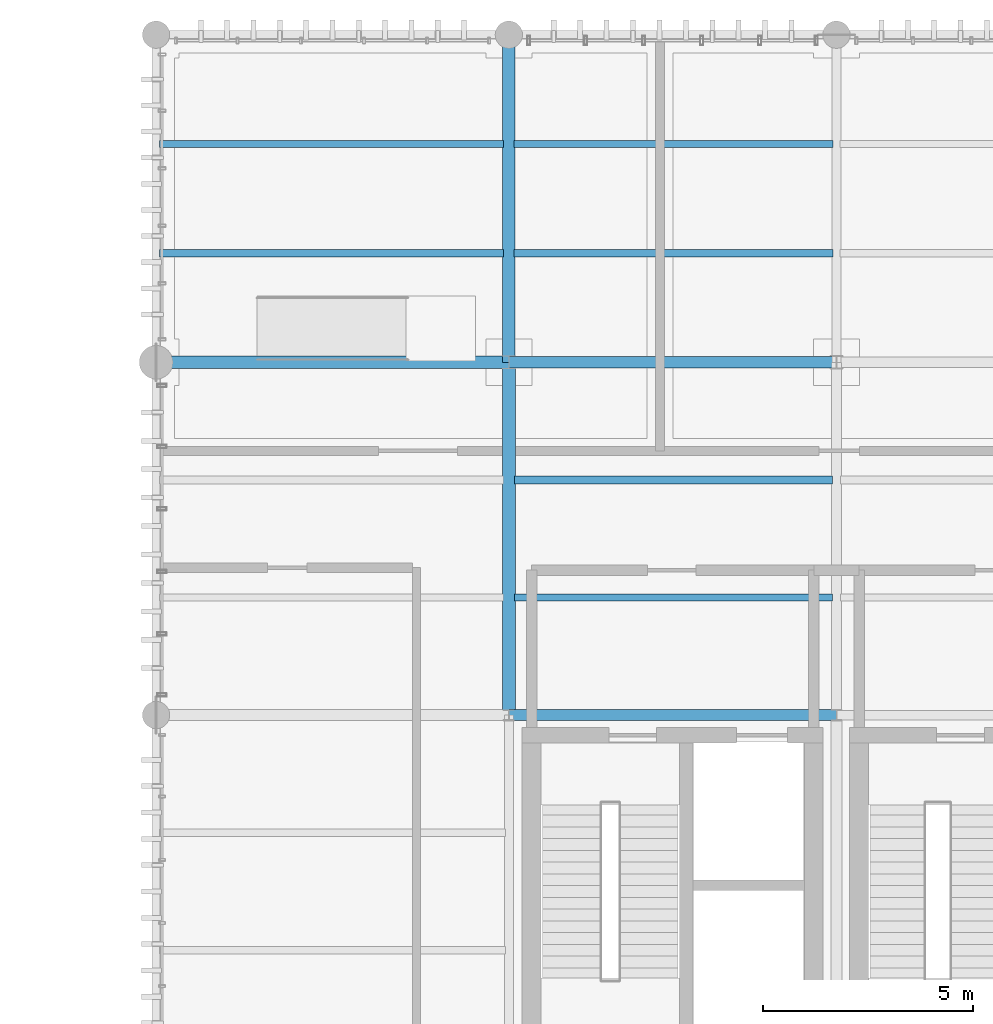
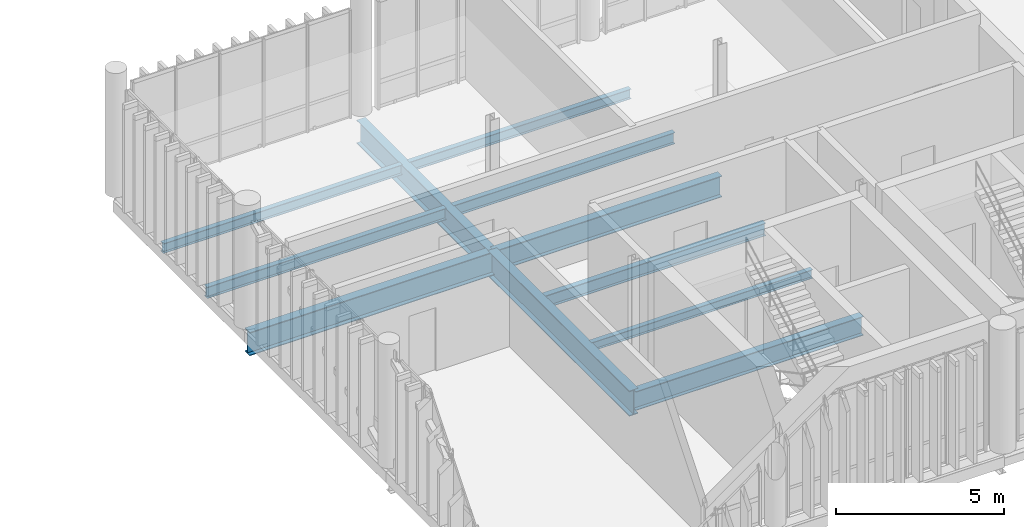
# One storey, part 6 of 19: 11 beams.
"""IFC4 building model written with IfcOpenShell, lengths in metres."""

import ifcopenshell
import ifcopenshell.guid

model = None  # the IFC model being written
_history = None  # IfcOwnerHistory: only IFC2X3 demands one
_inside = {}  # id of a spatial element -> (the spatial element, [elements in it])
_under = {}  # id of a project, library or spatial element -> (it, [spatial elements below it])
_declared = {}  # id of a project -> (the project, [libraries it declares])
_typed = {}  # id of a type object -> (the type object, [elements of that type])
_made_of = {}  # id of a material, layer set ... -> (it, [elements and type objects made of it])


def new_model(schema):
    """Start an empty IFC model of exactly this schema.

    Asked for "IFC4X3", IfcOpenShell would pick the latest addendum, in which some entities
    have other attributes; the version numbers below select the first issue.
    IFC2X3 requires an IfcOwnerHistory on every rooted entity: one is made here for all.
    """
    global model, _history
    if schema == "IFC4X3":
        model = ifcopenshell.file(schema_version=(4, 3, 0, 0))
    else:
        model = ifcopenshell.file(schema=schema)
    _inside.clear()
    _under.clear()
    _declared.clear()
    _typed.clear()
    _made_of.clear()
    _history = None
    if model.schema == "IFC2X3":
        org = make("IfcOrganization", Name="unknown")
        user = make(
            "IfcPersonAndOrganization",
            ThePerson=make("IfcPerson", FamilyName="unknown"),
            TheOrganization=org,
        )
        app = make(
            "IfcApplication",
            ApplicationDeveloper=org,
            Version="unknown",
            ApplicationFullName="unknown",
            ApplicationIdentifier="unknown",
        )
        _history = make(
            "IfcOwnerHistory",
            OwningUser=user,
            OwningApplication=app,
            ChangeAction="ADDED",
            CreationDate=0,
        )
    return model


def make(cls, **values):
    """One entity of the class cls with the attributes given. An attribute that is None is left unset."""
    return model.create_entity(
        cls, **{name: value for name, value in values.items() if value is not None}
    )


def rooted(cls, **values):
    """An entity with a GlobalId (a new one), such as an element, a storey or a relation."""
    return make(cls, GlobalId=ifcopenshell.guid.new(), OwnerHistory=_history, **values)


def si_unit(unit_type, name, prefix=None):
    """IfcSIUnit, for example si_unit("LENGTHUNIT", "METRE", prefix="MILLI")."""
    return make("IfcSIUnit", UnitType=unit_type, Prefix=prefix, Name=name)


def assignment(units):
    """IfcUnitAssignment: the units of a project."""
    return None if units is None else make("IfcUnitAssignment", Units=units)


def point(xyz):
    """IfcCartesianPoint."""
    return None if xyz is None else make("IfcCartesianPoint", Coordinates=xyz)


def direction(xyz):
    """IfcDirection."""
    return None if xyz is None else make("IfcDirection", DirectionRatios=xyz)


def frame(location, z_axis=None, x_axis=None):
    """IfcAxis2Placement3D, a coordinate frame: its origin and axes. An axis left out is left unset."""
    return make(
        "IfcAxis2Placement3D",
        Location=point(location),
        Axis=direction(z_axis),
        RefDirection=direction(x_axis),
    )


def frame_2d(location, x_axis=None):
    """IfcAxis2Placement2D, a coordinate frame in the plane: its origin and x axis."""
    return make(
        "IfcAxis2Placement2D", Location=point(location), RefDirection=direction(x_axis)
    )


def origin_with_axes():
    """The frame at (0, 0, 0) with the z axis (0, 0, 1) and the x axis (1, 0, 0) written out."""
    return frame((0.0, 0.0, 0.0), z_axis=(0.0, 0.0, 1.0), x_axis=(1.0, 0.0, 0.0))


def origin_2d_with_axis():
    """The frame at (0, 0) in the plane with the x axis (1, 0) written out."""
    return frame_2d((0.0, 0.0), x_axis=(1.0, 0.0))


def place(relative_to, where):
    """IfcLocalPlacement: puts the frame where relative to a parent placement (None: the world)."""
    return make(
        "IfcLocalPlacement", PlacementRelTo=relative_to, RelativePlacement=where
    )


def context(
    kind, dimensions, precision=None, world=None, true_north=None, identifier=None
):
    """IfcGeometricRepresentationContext, for example the 3D "Model" context."""
    return make(
        "IfcGeometricRepresentationContext",
        ContextIdentifier=identifier,
        ContextType=kind,
        CoordinateSpaceDimension=dimensions,
        Precision=precision,
        WorldCoordinateSystem=world,
        TrueNorth=true_north,
    )


def subcontext(parent, identifier, kind, view, scale=None):
    """IfcGeometricRepresentationSubContext, for example "Body" below "Model"."""
    return make(
        "IfcGeometricRepresentationSubContext",
        ContextIdentifier=identifier,
        ContextType=kind,
        ParentContext=parent,
        TargetScale=scale,
        TargetView=view,
    )


def project(units=None, contexts=None):
    """IfcProject with its units and contexts."""
    return rooted(
        "IfcProject",
        Name="project",
        RepresentationContexts=contexts,
        UnitsInContext=assignment(units),
    )


def spatial(cls, under=None, at=None, **own):
    """A site, building, storey or space (cls), placed at a placement, below another one or the project."""
    s = rooted(cls, ObjectPlacement=at, **own)
    if under is not None:
        _under.setdefault(under.id(), (under, []))[1].append(s)
    return s


def profile(cls, at=None, kind="AREA", **sizes):
    """A parametric profile (cls). Its sizes go by their IFC names, for example OverallWidth=200.0."""
    return make(cls, ProfileType=kind, Position=at, **sizes)


def i_section(**sizes):
    """IfcIShapeProfileDef."""
    return profile("IfcIShapeProfileDef", **sizes)


def extrude(swept, where, along, depth):
    """IfcExtrudedAreaSolid: the profile swept, set in the frame where, extruded along a direction by depth."""
    return make(
        "IfcExtrudedAreaSolid",
        SweptArea=swept,
        Position=where,
        ExtrudedDirection=direction(along),
        Depth=depth,
    )


def shape(context_of_items, identifier, shape_type, items):
    """IfcShapeRepresentation: the items that make up one representation, for example the "Body"."""
    return make(
        "IfcShapeRepresentation",
        ContextOfItems=context_of_items,
        RepresentationIdentifier=identifier,
        RepresentationType=shape_type,
        Items=items,
    )


def material(Name=None, Category=None):
    """IfcMaterial."""
    return make("IfcMaterial", Name=Name, Category=Category)


def material_profile(
    of_material, cross_section, Name=None, Category=None, Priority=None
):
    """IfcMaterialProfile: a cross section and its material."""
    return make(
        "IfcMaterialProfile",
        Name=Name,
        Material=of_material,
        Profile=cross_section,
        Priority=Priority,
        Category=Category,
    )


def profile_set(profiles, Name=None, composite=None):
    """IfcMaterialProfileSet."""
    return make(
        "IfcMaterialProfileSet",
        Name=Name,
        MaterialProfiles=profiles,
        CompositeProfile=composite,
    )


def made_of(thing, what):
    """Note that an element or type object is made of a material, layer set ...; save() writes the relation."""
    if what is not None:
        _made_of.setdefault(what.id(), (what, []))[1].append(thing)
    return thing


def type_object(cls, material=None, **own):
    """A type object (cls), such as IfcWallType, which elements share."""
    return made_of(rooted(cls, **own), material)


def element(
    cls,
    number,
    at=None,
    inside=None,
    cuts=None,
    type_object=None,
    material=None,
    context=None,
    identifier="Body",
    shape_type=None,
    held_by="IfcProductDefinitionShape",
    body=None,
    shapes=None,
    **own,
):
    """One element of the class cls, such as IfcWall. Its Tag is "e" and its number.

    at: its placement. inside: the storey or other place that contains it. cuts: it is an
    opening in that element (IfcRelVoidsElement). A single representation is given by context,
    identifier, shape_type and body (its items); several are given by shapes. held_by: the class
    of the entity that holds the representations. save() writes the other relations.
    """
    e = rooted(cls, Tag="e%d" % number, ObjectPlacement=at, **own)
    if body is not None:
        shapes = [shape(context, identifier, shape_type, body)]
    if shapes is not None:
        e.Representation = make(held_by, Representations=shapes)
    if inside is not None:
        _inside.setdefault(inside.id(), (inside, []))[1].append(e)
    if cuts is not None:
        rooted(
            "IfcRelVoidsElement", RelatingBuildingElement=cuts, RelatedOpeningElement=e
        )
    if type_object is not None:
        _typed.setdefault(type_object.id(), (type_object, []))[1].append(e)
    return made_of(e, material)


def aggregate(whole, parts):
    """IfcRelAggregates: a whole, such as a stair, and the parts it consists of."""
    return rooted("IfcRelAggregates", RelatingObject=whole, RelatedObjects=parts)


def save(model, path):
    """Write the relations noted so far, then the file.

    IfcRelAggregates (storeys below a building ...), IfcRelContainedInSpatialStructure (elements
    in a storey), IfcRelDefinesByType, IfcRelAssociatesMaterial and IfcRelDeclares: one each for
    every whole, place, type object, material and project.
    """
    for whole, parts in _under.values():
        aggregate(whole, parts)
    for where, things in _inside.values():
        rooted(
            "IfcRelContainedInSpatialStructure",
            RelatedElements=things,
            RelatingStructure=where,
        )
    for kind, things in _typed.values():
        rooted("IfcRelDefinesByType", RelatedObjects=things, RelatingType=kind)
    for what, things in _made_of.values():
        rooted("IfcRelAssociatesMaterial", RelatedObjects=things, RelatingMaterial=what)
    for by, libraries in _declared.values():
        rooted("IfcRelDeclares", RelatingContext=by, RelatedDefinitions=libraries)
    model.write(path)


model = new_model("IFC4")

# Units and contexts
model_context = context("Model", 3, precision=1e-05, world=origin_with_axes(), true_north=direction((0.0, 1.0)))
body_context = subcontext(model_context, "Body", "Model", "MODEL_VIEW")
ifc_project = project(units=[si_unit("LENGTHUNIT", "METRE"), si_unit("AREAUNIT", "SQUARE_METRE"), si_unit("VOLUMEUNIT", "CUBIC_METRE"), si_unit("PLANEANGLEUNIT", "RADIAN"), si_unit("MASSUNIT", "GRAM", prefix="KILO"), si_unit("THERMODYNAMICTEMPERATUREUNIT", "KELVIN")], contexts=[model_context])

# Site, building, storey
site_placement = place(None, origin_with_axes())
site = spatial("IfcSite", under=ifc_project, at=site_placement, CompositionType="ELEMENT")
building_placement = place(site_placement, origin_with_axes())
building = spatial("IfcBuilding", under=site, at=building_placement, Name="Montbau Bow Law Courts", CompositionType="ELEMENT")
storey_placement = place(building_placement, frame((0.0, 0.0, 43.5), z_axis=(0.0, 0.0, 1.0), x_axis=(1.0, 0.0, 0.0)))
storey = spatial("IfcBuildingStorey", under=building, at=storey_placement, Name="L09", CompositionType="ELEMENT", Elevation=43.5)

# Beams
ifc_material = material(Name="Steel CSA G40.21 Grade 350W (350 MPa)", Category="steel")
ifc_material_profile_1 = material_profile(ifc_material, i_section(OverallWidth=0.306, OverallDepth=0.919, WebThickness=0.0173, FlangeThickness=0.0279, at=origin_2d_with_axis()), Name="W920X253", Category="Main", Priority=0)
ifc_profile_set_1 = profile_set([ifc_material_profile_1], Name="Steel CSA G40.21 Grade 350W (350 MPa)")
beam_type_1 = type_object("IfcBeamType", Name="B-FLR-01", PredefinedType="BEAM", material=ifc_profile_set_1)
beam_1_placement = place(None, frame((147.0, 94.8, 42.741), z_axis=(0.0, 1.0, 0.0), x_axis=(-1.0, 0.0, 0.0)))
element("IfcBeam", 1, at=beam_1_placement, inside=storey, type_object=beam_type_1, Name="BM-L09-S1404:bm2_1407", PredefinedType="BEAM", context=body_context, shape_type="SweptSolid", body=[
    extrude(i_section(OverallWidth=0.306, OverallDepth=0.919, WebThickness=0.0173, FlangeThickness=0.0279, at=origin_2d_with_axis()), origin_with_axes(), (0.0, 0.0, 1.0), 8.4),
])
ifc_material_profile_2 = material_profile(ifc_material, i_section(OverallWidth=0.293, OverallDepth=0.846, WebThickness=0.0154, FlangeThickness=0.0244, at=origin_2d_with_axis()), Name="W840X210", Category="Main", Priority=0)
ifc_profile_set_2 = profile_set([ifc_material_profile_2], Name="Steel CSA G40.21 Grade 350W (350 MPa)")
beam_type_2 = type_object("IfcBeamType", Name="B-FLR-02", PredefinedType="BEAM", material=ifc_profile_set_2)
beam_2_placement = place(None, frame((138.6, 103.2, 42.777), z_axis=(1.0, 0.0, 0.0), x_axis=(0.0, 1.0, 0.0)))
element("IfcBeam", 2, at=beam_2_placement, inside=storey, type_object=beam_type_2, Name="BM-L09-S1392:bm2_1395", PredefinedType="BEAM", context=body_context, shape_type="SweptSolid", body=[
    extrude(i_section(OverallWidth=0.293, OverallDepth=0.846, WebThickness=0.0154, FlangeThickness=0.0244, at=origin_2d_with_axis()), origin_with_axes(), (0.0, 0.0, 1.0), 8.4),
])
beam_3_placement = place(None, frame((147.0, 103.2, 42.777), z_axis=(0.0, 1.0, 0.0), x_axis=(-1.0, 0.0, 0.0)))
element("IfcBeam", 3, at=beam_3_placement, inside=storey, type_object=beam_type_2, Name="BM-L09-S1405:bm2_1408", PredefinedType="BEAM", context=body_context, shape_type="SweptSolid", body=[
    extrude(i_section(OverallWidth=0.293, OverallDepth=0.846, WebThickness=0.0154, FlangeThickness=0.0244, at=origin_2d_with_axis()), origin_with_axes(), (0.0, 0.0, 1.0), 7.8),
])
ifc_material_profile_3 = material_profile(ifc_material, i_section(OverallWidth=0.267, OverallDepth=0.766, WebThickness=0.0149, FlangeThickness=0.0236, at=origin_2d_with_axis()), Name="W760X185", Category="Main", Priority=0)
ifc_profile_set_3 = profile_set([ifc_material_profile_3], Name="Steel CSA G40.21 Grade 350W (350 MPa)")
beam_type_3 = type_object("IfcBeamType", Name="B-FLR-03", PredefinedType="BEAM", material=ifc_profile_set_3)
beam_4_placement = place(None, frame((147.0, 103.2, 42.817), z_axis=(1.0, 0.0, 0.0), x_axis=(0.0, 1.0, 0.0)))
element("IfcBeam", 4, at=beam_4_placement, inside=storey, type_object=beam_type_3, Name="BM-L09-S1393:bm2_1396", PredefinedType="BEAM", context=body_context, shape_type="SweptSolid", body=[
    extrude(i_section(OverallWidth=0.267, OverallDepth=0.766, WebThickness=0.0149, FlangeThickness=0.0236, at=origin_2d_with_axis()), origin_with_axes(), (0.0, 0.0, 1.0), 7.8),
])
ifc_material_profile_4 = material_profile(ifc_material, i_section(OverallWidth=0.254, OverallDepth=0.688, WebThickness=0.0131, FlangeThickness=0.0211, at=origin_2d_with_axis()), Name="W690X152", Category="Main", Priority=0)
ifc_profile_set_4 = profile_set([ifc_material_profile_4], Name="Steel CSA G40.21 Grade 350W (350 MPa)")
beam_type_4 = type_object("IfcBeamType", Name="B-FLR-04", PredefinedType="BEAM", material=ifc_profile_set_4)
beam_5_placement = place(None, frame((147.0, 94.8, 42.856), z_axis=(1.0, 0.0, 0.0), x_axis=(0.0, 1.0, 0.0)))
element("IfcBeam", 5, at=beam_5_placement, inside=storey, type_object=beam_type_4, Name="BM-L09-S1389:bm2_1392", PredefinedType="BEAM", context=body_context, shape_type="SweptSolid", body=[
    extrude(i_section(OverallWidth=0.254, OverallDepth=0.688, WebThickness=0.0131, FlangeThickness=0.0211, at=origin_2d_with_axis()), origin_with_axes(), (0.0, 0.0, 1.0), 7.8),
])
ifc_material_profile_5 = material_profile(ifc_material, i_section(OverallWidth=0.191, OverallDepth=0.46, WebThickness=0.0099, FlangeThickness=0.016, at=origin_2d_with_axis()), Name="W460X82", Category="Main", Priority=0)
ifc_profile_set_5 = profile_set([ifc_material_profile_5], Name="Steel CSA G40.21 Grade 350W (350 MPa)")
beam_type_5 = type_object("IfcBeamType", Name="B-JST-01", PredefinedType="JOIST", material=ifc_profile_set_5)
beam_6_placement = place(None, frame((147.129, 100.4, 42.97), z_axis=(1.0, 0.0, 0.0), x_axis=(0.0, 1.0, 0.0)))
element("IfcBeam", 6, at=beam_6_placement, inside=storey, type_object=beam_type_5, Name="JST-L09-S0780:jst2_0780", PredefinedType="JOIST", context=body_context, shape_type="SweptSolid", body=[
    extrude(i_section(OverallWidth=0.191, OverallDepth=0.46, WebThickness=0.0099, FlangeThickness=0.016, at=origin_2d_with_axis()), origin_with_axes(), (0.0, 0.0, 1.0), 7.581),
])
ifc_material_profile_6 = material_profile(ifc_material, i_section(OverallWidth=0.179, OverallDepth=0.41, WebThickness=0.0088, FlangeThickness=0.0144, at=origin_2d_with_axis()), Name="W410X67", Category="Main", Priority=0)
ifc_profile_set_6 = profile_set([ifc_material_profile_6], Name="Steel CSA G40.21 Grade 350W (350 MPa)")
beam_type_6 = type_object("IfcBeamType", Name="B-JST-02", PredefinedType="JOIST", material=ifc_profile_set_6)
beam_7_placement = place(None, frame((138.68, 105.8, 42.995), z_axis=(1.0, 0.0, 0.0), x_axis=(0.0, 1.0, 0.0)))
element("IfcBeam", 7, at=beam_7_placement, inside=storey, type_object=beam_type_6, Name="JST-L09-S0777:jst2_0777", PredefinedType="JOIST", context=body_context, shape_type="SweptSolid", body=[
    extrude(i_section(OverallWidth=0.179, OverallDepth=0.41, WebThickness=0.0088, FlangeThickness=0.0144, at=origin_2d_with_axis()), origin_with_axes(), (0.0, 0.0, 1.0), 8.197),
])
beam_8_placement = place(None, frame((147.123, 105.8, 42.995), z_axis=(1.0, 0.0, 0.0), x_axis=(0.0, 1.0, 0.0)))
element("IfcBeam", 8, at=beam_8_placement, inside=storey, type_object=beam_type_6, Name="JST-L09-S0781:jst2_0781", PredefinedType="JOIST", context=body_context, shape_type="SweptSolid", body=[
    extrude(i_section(OverallWidth=0.179, OverallDepth=0.41, WebThickness=0.0088, FlangeThickness=0.0144, at=origin_2d_with_axis()), origin_with_axes(), (0.0, 0.0, 1.0), 7.596),
])
ifc_material_profile_7 = material_profile(ifc_material, i_section(OverallWidth=0.172, OverallDepth=0.358, WebThickness=0.0079, FlangeThickness=0.0131, at=origin_2d_with_axis()), Name="W360X57", Category="Main", Priority=0)
ifc_profile_set_7 = profile_set([ifc_material_profile_7], Name="Steel CSA G40.21 Grade 350W (350 MPa)")
beam_type_7 = type_object("IfcBeamType", Name="B-JST-03", PredefinedType="JOIST", material=ifc_profile_set_7)
beam_9_placement = place(None, frame((138.68, 108.4, 43.021), z_axis=(1.0, 0.0, 0.0), x_axis=(0.0, 1.0, 0.0)))
element("IfcBeam", 9, at=beam_9_placement, inside=storey, type_object=beam_type_7, Name="JST-L09-S0778:jst2_0778", PredefinedType="JOIST", context=body_context, shape_type="SweptSolid", body=[
    extrude(i_section(OverallWidth=0.172, OverallDepth=0.358, WebThickness=0.0079, FlangeThickness=0.0131, at=origin_2d_with_axis()), origin_with_axes(), (0.0, 0.0, 1.0), 8.197),
])
beam_10_placement = place(None, frame((147.123, 108.4, 43.021), z_axis=(1.0, 0.0, 0.0), x_axis=(0.0, 1.0, 0.0)))
element("IfcBeam", 10, at=beam_10_placement, inside=storey, type_object=beam_type_7, Name="JST-L09-S0782:jst2_0782", PredefinedType="JOIST", context=body_context, shape_type="SweptSolid", body=[
    extrude(i_section(OverallWidth=0.172, OverallDepth=0.358, WebThickness=0.0079, FlangeThickness=0.0131, at=origin_2d_with_axis()), origin_with_axes(), (0.0, 0.0, 1.0), 7.596),
])
ifc_material_profile_8 = material_profile(ifc_material, i_section(OverallWidth=0.166, OverallDepth=0.313, WebThickness=0.0066, FlangeThickness=0.0112, at=origin_2d_with_axis()), Name="W310X45", Category="Main", Priority=0)
ifc_profile_set_8 = profile_set([ifc_material_profile_8], Name="Steel CSA G40.21 Grade 350W (350 MPa)")
beam_type_8 = type_object("IfcBeamType", Name="B-JST-04", PredefinedType="JOIST", material=ifc_profile_set_8)
beam_11_placement = place(None, frame((147.129, 97.6, 43.044), z_axis=(1.0, 0.0, 0.0), x_axis=(0.0, 1.0, 0.0)))
element("IfcBeam", 11, at=beam_11_placement, inside=storey, type_object=beam_type_8, Name="JST-L09-S0779:jst2_0779", PredefinedType="JOIST", context=body_context, shape_type="SweptSolid", body=[
    extrude(i_section(OverallWidth=0.166, OverallDepth=0.313, WebThickness=0.0066, FlangeThickness=0.0112, at=origin_2d_with_axis()), origin_with_axes(), (0.0, 0.0, 1.0), 7.581),
])

save(model, "model.ifc")
